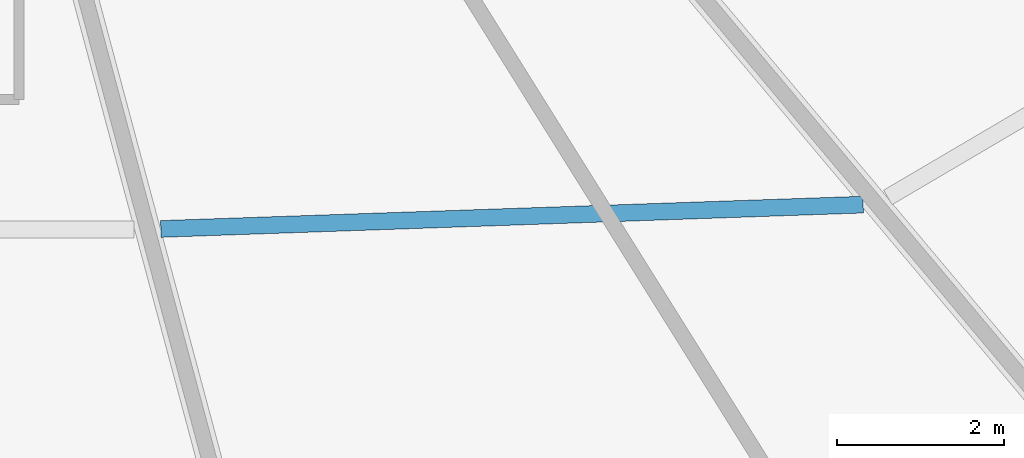
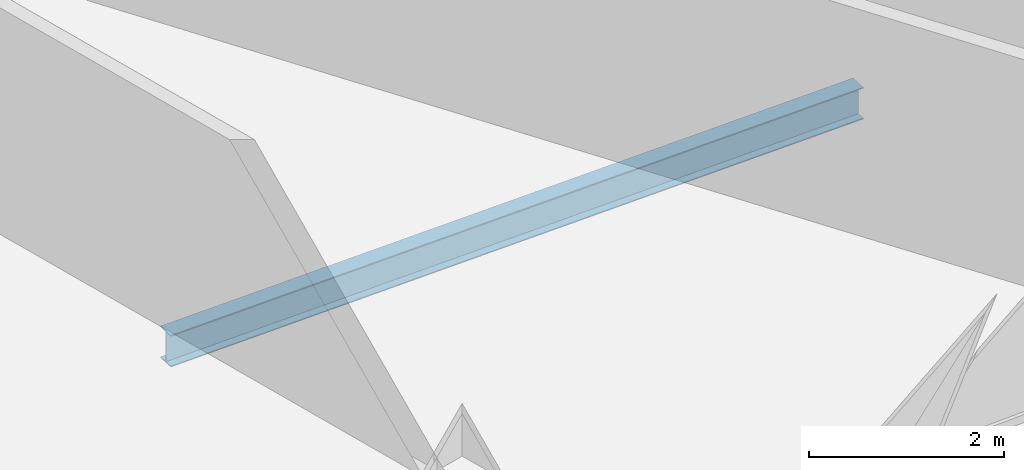
# One storey, part 11 of 37: 1 beam.
"""IFC4 building model written with IfcOpenShell, lengths in metres."""

from ifc_helpers import new_model, si_unit, direction, frame, origin, origin_2d, place, context, subcontext, project, spatial, i_section, extrude, source, transform, mapped, material, material_profile, profile_set, type_object, element, save


model = new_model("IFC4")

# Units and contexts
model_context = context("Model", 3, precision=1e-05, world=origin(), true_north=direction((0.0, 1.0)))
body_context = subcontext(model_context, "Body", "Model", "MODEL_VIEW")
ifc_project = project(units=[si_unit("LENGTHUNIT", "METRE"), si_unit("AREAUNIT", "SQUARE_METRE"), si_unit("VOLUMEUNIT", "CUBIC_METRE"), si_unit("PLANEANGLEUNIT", "RADIAN"), si_unit("MASSUNIT", "GRAM", prefix="KILO"), si_unit("THERMODYNAMICTEMPERATUREUNIT", "KELVIN"), si_unit("POWERUNIT", "WATT")], contexts=[model_context])

# Site, building, storey
site_placement = place(None, origin())
site = spatial("IfcSite", under=ifc_project, at=site_placement, CompositionType="ELEMENT")
building_placement = place(site_placement, origin())
building = spatial("IfcBuilding", under=site, at=building_placement, Name="Yunzhuo Pagoda Commons", CompositionType="ELEMENT")
storey_placement = place(building_placement, frame((0.0, 0.0, 84.97998046875)))
storey = spatial("IfcBuildingStorey", under=building, at=storey_placement, Name="L21", CompositionType="ELEMENT", Elevation=84.97998046875)

# Beam
ifc_material = material(Name="Structural steel Q355B", Category="steel")
ifc_material_profile = material_profile(ifc_material, i_section(OverallWidth=0.199951171875, OverallDepth=0.39990234375, WebThickness=0.008056640625, FlangeThickness=0.012939453125, at=origin_2d()), Name="Structural steel Q355B")
ifc_profile_set = profile_set([ifc_material_profile], Name="Structural steel Q355B")
beam_type = type_object("IfcBeamType", Name="B-JS1 Joist HN 400x200x8x13", PredefinedType="JOIST", material=ifc_profile_set)
shared_shape = source(origin(), body_context, "Body", "SweptSolid", [
    extrude(i_section(OverallWidth=0.199951171875, OverallDepth=0.39990234375, WebThickness=0.008056640625, FlangeThickness=0.012939453125, at=origin_2d()), origin(), (0.0, 0.0, 1.0), 8.392822265625),
])
beam_placement = place(storey_placement, frame((52.36181640625, 18.020263671875, -0.459716796875), z_axis=(0.999400667027, 0.034616567521, 0.0), x_axis=(-0.034616567521, 0.999400667027, 0.0)))
element("IfcBeam", 1, at=beam_placement, inside=storey, type_object=beam_type, Name="L21 composite ring joist 2.3", PredefinedType="JOIST", context=body_context, shape_type="MappedRepresentation", body=[
    mapped(shared_shape, transform((0.0, 0.0, 0.0), scale=1.0)),
])

save(model, "model.ifc")
